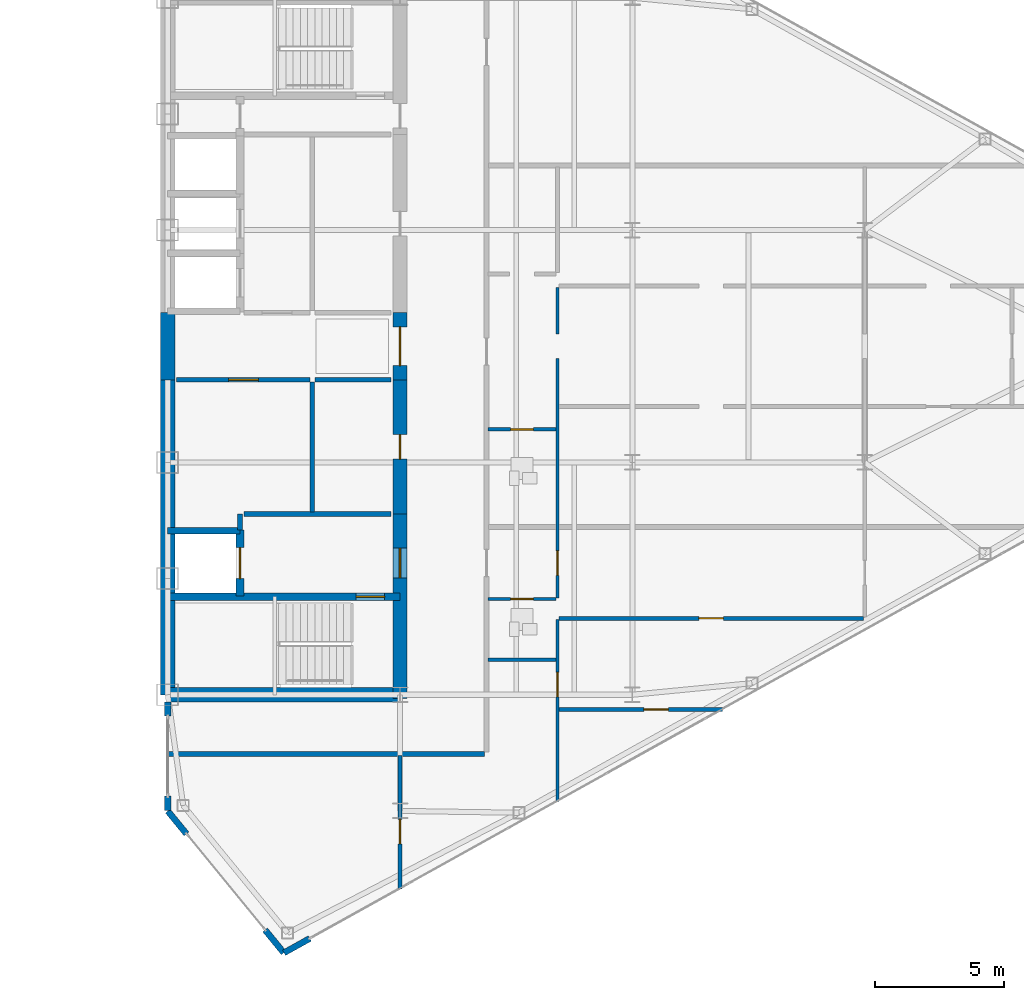
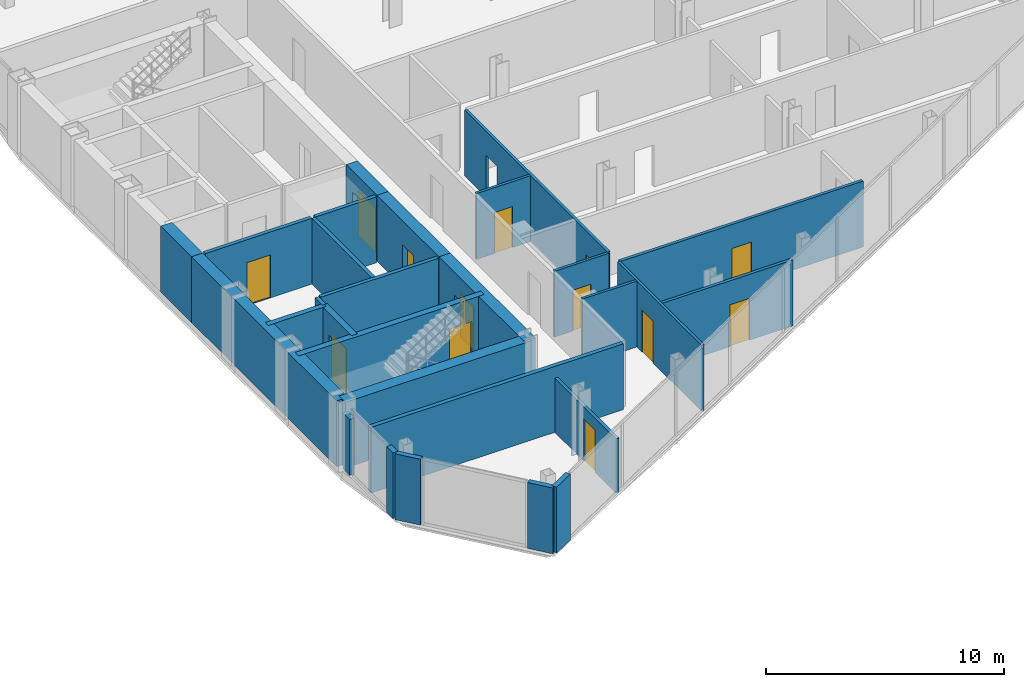
# One storey, part 21 of 26: 28 walls, 13 doors, 14 openings.
"""IFC4 building model written with IfcOpenShell, lengths in metres."""

from ifc_helpers import new_model, si_unit, direction, frame, frame_2d, origin, place, context, subcontext, project, spatial, rectangle, extrude, source, transform, mapped, material, layer, layer_set, type_object, type_shapes, element, fill, save


model = new_model("IFC4")

# Units and contexts
model_context = context("Model", 3, precision=1e-05, world=origin(), true_north=direction((0.0, 1.0)))
body_context = subcontext(model_context, "Body", "Model", "MODEL_VIEW")
ifc_project = project(units=[si_unit("LENGTHUNIT", "METRE"), si_unit("AREAUNIT", "SQUARE_METRE"), si_unit("VOLUMEUNIT", "CUBIC_METRE"), si_unit("PLANEANGLEUNIT", "RADIAN"), si_unit("MASSUNIT", "GRAM", prefix="KILO")], contexts=[model_context])

# Site, building, storey
site_placement = place(None, origin())
site = spatial("IfcSite", under=ifc_project, at=site_placement, CompositionType="ELEMENT")
building_placement = place(site_placement, origin())
building = spatial("IfcBuilding", under=site, at=building_placement, Name="Seokmaru Belvedere", CompositionType="ELEMENT")
storey_placement = place(building_placement, frame((0.0, 0.0, 174.300048828125)))
storey = spatial("IfcBuildingStorey", under=building, at=storey_placement, Name="L46", CompositionType="ELEMENT", Elevation=174.300048828125)

# Wall, opening, door
ifc_material_1 = material(Name="Fire-Rated Gypsum Shaftwall")
ifc_layer_1 = layer(ifc_material_1, 0.14990234375)
ifc_layer_set_1 = layer_set([ifc_layer_1], Name="Fire-Rated Gypsum Shaftwall")
wall_type_1 = type_object("IfcWallType", Name="Apartment Fire-Acoustic Room Partition 150", PredefinedType="PARTITIONING", material=ifc_layer_set_1)
wall_1_placement = place(storey_placement, frame((42.64990234375, -14.070068359375, 0.0), z_axis=(0.0, 0.0, 1.0), x_axis=(1.0, 0.0, 0.0)))
wall_1 = element("IfcWall", 1, at=wall_1_placement, inside=storey, type_object=wall_type_1, Name="L46 Interior Partition 003", PredefinedType="PARTITIONING", context=body_context, shape_type="SweptSolid", body=[
    extrude(rectangle(XDim=6.341064453125, YDim=0.14990234375, at=frame_2d((3.17041015625, 0.0))), origin(), (0.0, 0.0, 1.0), 3.3798828125),
])
opening_1_placement = place(wall_1_placement, frame((3.2919921875, 0.0, 0.0)))
opening_1 = element("IfcOpeningElement", 2, at=opening_1_placement, cuts=wall_1, Name="Opening D05", PredefinedType="OPENING", context=body_context, shape_type="SweptSolid", body=[
    extrude(rectangle(XDim=0.949951171875, YDim=2.14990234375, at=frame_2d((0.47509765625, 1.074951171875))), frame((0.0, 0.0849609375, 0.0), z_axis=(0.0, -1.0, 0.0), x_axis=(1.0, 0.0, 0.0)), (0.0, 0.0, 1.0), 0.169921875),
])
ifc_material_2 = material(Name="Engineered White Oak Timber", Category="wood")
door_type_1 = type_object("IfcDoorType", Name="Apartment Interior Fire-Rated Oak Door 950x2150", OperationType="NOTDEFINED", PredefinedType="DOOR", material=ifc_material_2)
shared_shape_1 = source(origin(), body_context, "Body", "SweptSolid", [
    extrude(rectangle(XDim=0.949951171875, YDim=2.14990234375, at=frame_2d((0.47509765625, 1.074951171875))), frame((0.0, 0.02490234375, 0.0), z_axis=(0.0, -1.0, 0.0), x_axis=(1.0, 0.0, 0.0)), (0.0, 0.0, 1.0), 0.050048828125),
])
type_shapes(door_type_1, [shared_shape_1])
door_1_placement = place(opening_1_placement, origin())
door_1 = element("IfcDoor", 3, at=door_1_placement, inside=storey, type_object=door_type_1, Name="L46 Interior Door 020", OperationType="SINGLE_SWING_LEFT", OverallHeight=2.14990234375, OverallWidth=0.949951171875, PredefinedType="DOOR", context=body_context, shape_type="MappedRepresentation", body=[
    mapped(shared_shape_1, transform((0.0, 0.0, 0.0), scale=1.0)),
])
fill(opening_1, door_1)

wall_2_placement = place(storey_placement, frame((42.64990234375, -10.5400390625, 0.0), z_axis=(0.0, 0.0, 1.0), x_axis=(1.0, 0.0, 0.0)))
wall_2 = element("IfcWall", 4, at=wall_2_placement, inside=storey, type_object=wall_type_1, Name="L46 Interior Partition 005", PredefinedType="PARTITIONING", context=body_context, shape_type="SweptSolid", body=[
    extrude(rectangle(XDim=11.800048828125, YDim=0.14990234375, at=frame_2d((5.89990234375, 0.0))), origin(), (0.0, 0.0, 1.0), 3.3798828125),
])
opening_2_placement = place(wall_2_placement, frame((5.425048828125, 0.0, 0.0)))
opening_2 = element("IfcOpeningElement", 5, at=opening_2_placement, cuts=wall_2, Name="Opening D05", PredefinedType="OPENING", context=body_context, shape_type="SweptSolid", body=[
    extrude(rectangle(XDim=0.949951171875, YDim=2.14990234375, at=frame_2d((0.47509765625, 1.074951171875))), frame((0.0, 0.0849609375, 0.0), z_axis=(0.0, -1.0, 0.0), x_axis=(1.0, 0.0, 0.0)), (0.0, 0.0, 1.0), 0.169921875),
])
door_2_placement = place(opening_2_placement, origin())
door_2 = element("IfcDoor", 6, at=door_2_placement, inside=storey, type_object=door_type_1, Name="L46 Interior Door 018", OperationType="SINGLE_SWING_LEFT", OverallHeight=2.14990234375, OverallWidth=0.949951171875, PredefinedType="DOOR", context=body_context, shape_type="MappedRepresentation", body=[
    mapped(shared_shape_1, transform((0.0, 0.0, 0.0), scale=1.0)),
])
fill(opening_2, door_2)

wall_3_placement = place(storey_placement, frame((36.5, -21.031982421875, 0.0), z_axis=(0.0, 0.0, 1.0), x_axis=(0.0, 1.0, 0.0)))
wall_3 = element("IfcWall", 7, at=wall_3_placement, inside=storey, type_object=wall_type_1, Name="L46 Interior Partition 026", PredefinedType="PARTITIONING", context=body_context, shape_type="SweptSolid", body=[
    extrude(rectangle(XDim=5.181884765625, YDim=0.14990234375, at=frame_2d((2.5908203125, 0.0))), origin(), (0.0, 0.0, 1.0), 2.780029296875),
])
opening_3_placement = place(wall_3_placement, frame((1.75390625, 0.0, 0.0)))
opening_3 = element("IfcOpeningElement", 8, at=opening_3_placement, cuts=wall_3, Name="Opening D05", PredefinedType="OPENING", context=body_context, shape_type="SweptSolid", body=[
    extrude(rectangle(XDim=0.949951171875, YDim=2.14990234375, at=frame_2d((0.47509765625, 1.074951171875))), frame((0.0, 0.0849609375, 0.0), z_axis=(0.0, -1.0, 0.0), x_axis=(1.0, 0.0, 0.0)), (0.0, 0.0, 1.0), 0.169921875),
])
door_3_placement = place(opening_3_placement, origin())
door_3 = element("IfcDoor", 9, at=door_3_placement, inside=storey, type_object=door_type_1, Name="L46 Interior Door 021", OperationType="SINGLE_SWING_LEFT", OverallHeight=2.14990234375, OverallWidth=0.949951171875, PredefinedType="DOOR", context=body_context, shape_type="MappedRepresentation", body=[
    mapped(shared_shape_1, transform((0.0, 0.0, 0.0), scale=1.0)),
])
fill(opening_3, door_3)

# Walls
ifc_layer_2 = layer(ifc_material_1, 0.179931640625)
ifc_layer_set_2 = layer_set([ifc_layer_2], Name="Fire-Rated Gypsum Shaftwall")
wall_type_2 = type_object("IfcWallType", Name="Core Service Fire Partition 180", PredefinedType="PARTITIONING", material=ifc_layer_set_2)
wall_4_placement = place(storey_placement, frame((30.449951171875, -6.5, 0.0), z_axis=(0.0, 0.0, 1.0), x_axis=(1.0, 0.0, 0.0)))
element("IfcWall", 10, at=wall_4_placement, inside=storey, type_object=wall_type_2, Name="L46 East Firefighting Lobby Partition", PredefinedType="PARTITIONING", context=body_context, shape_type="SweptSolid", body=[
    extrude(rectangle(XDim=5.699951171875, YDim=0.179931640625, at=frame_2d((2.85009765625, 0.0))), origin(), (0.0, 0.0, 1.0), 3.3798828125),
])
wall_5_placement = place(storey_placement, frame((30.300048828125, -7.1201171875, 0.0), z_axis=(0.0, 0.0, 1.0), x_axis=(0.0, 1.0, 0.0)))
element("IfcWall", 11, at=wall_5_placement, inside=storey, type_object=wall_type_2, Name="L46 East Firefighting Lobby East Closure Wall", PredefinedType="PARTITIONING", context=body_context, shape_type="SweptSolid", body=[
    extrude(rectangle(XDim=0.6201171875, YDim=0.179931640625, at=frame_2d((0.31005859375, 0.0))), origin(), (0.0, 0.0, 1.0), 3.3798828125),
])
wall_6_placement = place(storey_placement, frame((33.10009765625, -6.419921875, 0.0), z_axis=(0.0, 0.0, 1.0), x_axis=(0.0, 1.0, 0.0)))
element("IfcWall", 12, at=wall_6_placement, inside=storey, type_object=wall_type_2, Name="L46 East South Core Service Back Wall", PredefinedType="PARTITIONING", context=body_context, shape_type="SweptSolid", body=[
    extrude(rectangle(XDim=5.0400390625, YDim=0.179931640625, at=frame_2d((2.52001953125, 0.0))), origin(), (0.0, 0.0, 1.0), 3.3798828125),
])

# Wall, opening, door
wall_7_placement = place(storey_placement, frame((27.85009765625, -1.300048828125, 0.0), z_axis=(0.0, 0.0, 1.0), x_axis=(1.0, 0.0, 0.0)))
wall_7 = element("IfcWall", 13, at=wall_7_placement, inside=storey, type_object=wall_type_2, Name="L46 East South Lift Lobby Foyer Wall", PredefinedType="PARTITIONING", context=body_context, shape_type="SweptSolid", body=[
    extrude(rectangle(XDim=5.169921875, YDim=0.179931640625, at=frame_2d((2.5849609375, 0.0))), origin(), (0.0, 0.0, 1.0), 3.3798828125),
])
opening_4_placement = place(wall_7_placement, frame((2.010009765625, 0.0, 0.0)))
opening_4 = element("IfcOpeningElement", 14, at=opening_4_placement, cuts=wall_7, Name="Opening D02", PredefinedType="OPENING", context=body_context, shape_type="SweptSolid", body=[
    extrude(rectangle(XDim=1.14990234375, YDim=2.199951171875, at=frame_2d((0.574951171875, 1.10009765625))), frame((0.0, 0.10009765625, 0.0), z_axis=(0.0, -1.0, 0.0), x_axis=(1.0, 0.0, 0.0)), (0.0, 0.0, 1.0), 0.199951171875),
])
ifc_material_3 = material(Name="Fire-Rated Steel Leaf", Category="steel")
door_type_2 = type_object("IfcDoorType", Name="Lobby and Vestibule Fire Door 1150x2200", OperationType="NOTDEFINED", PredefinedType="DOOR", material=ifc_material_3)
shared_shape_2 = source(origin(), body_context, "Body", "SweptSolid", [
    extrude(rectangle(XDim=1.14990234375, YDim=2.199951171875, at=frame_2d((0.574951171875, 1.10009765625))), frame((0.0, 0.02490234375, 0.0), z_axis=(0.0, -1.0, 0.0), x_axis=(1.0, 0.0, 0.0)), (0.0, 0.0, 1.0), 0.050048828125),
])
type_shapes(door_type_2, [shared_shape_2])
door_4_placement = place(opening_4_placement, origin())
door_4 = element("IfcDoor", 15, at=door_4_placement, inside=storey, type_object=door_type_2, Name="L46 East South Core Foyer Door", OperationType="SINGLE_SWING_RIGHT", OverallHeight=2.199951171875, OverallWidth=1.14990234375, PredefinedType="DOOR", context=body_context, shape_type="MappedRepresentation", body=[
    mapped(shared_shape_2, transform((0.0, 0.0, 0.0), scale=1.0)),
])
fill(opening_4, door_4)

# Walls
wall_8_placement = place(storey_placement, frame((33.199951171875, -1.300048828125, 0.0), z_axis=(0.0, 0.0, 1.0), x_axis=(1.0, 0.0, 0.0)))
element("IfcWall", 16, at=wall_8_placement, inside=storey, type_object=wall_type_2, Name="L46 East Foyer Side Wall S", PredefinedType="PARTITIONING", context=body_context, shape_type="SweptSolid", body=[
    extrude(rectangle(XDim=2.949951171875, YDim=0.179931640625, at=frame_2d((1.47509765625, 0.0))), origin(), (0.0, 0.0, 1.0), 3.3798828125),
])
ifc_material_4 = material(Name="Concrete C50 (50 MPa)", Category="concrete")
ifc_layer_3 = layer(ifc_material_4, 0.25)
ifc_layer_set_3 = layer_set([ifc_layer_3], Name="Concrete C50 (50 MPa)")
wall_type_3 = type_object("IfcWallType", Name="Hoistway Transverse Concrete Divider Wall 250", PredefinedType="SHEAR", material=ifc_layer_set_3)
wall_9_placement = place(storey_placement, frame((27.5, -7.14990234375, 0.0), z_axis=(0.0, 0.0, 1.0), x_axis=(1.0, 0.0, 0.0)))
element("IfcWall", 17, at=wall_9_placement, inside=storey, type_object=wall_type_3, Name="L46 East Hoistway Divider Core Wall 1", PredefinedType="SHEAR", context=body_context, shape_type="SweptSolid", body=[
    extrude(rectangle(XDim=2.800048828125, YDim=0.25, at=frame_2d((1.39990234375, 0.0))), origin(), (0.0, 0.0, 1.0), 3.3798828125),
])
ifc_layer_4 = layer(ifc_material_1, 0.199951171875)
ifc_layer_set_4 = layer_set([ifc_layer_4], Name="Fire-Rated Gypsum Shaftwall")
wall_type_4 = type_object("IfcWallType", Name="Inter-Tenancy Fire Compartment Partition 200", PredefinedType="PARTITIONING", material=ifc_layer_set_4)
wall_10_placement = place(storey_placement, frame((27.5, -15.800048828125, 0.0), z_axis=(0.0, 0.0, 1.0), x_axis=(1.0, 0.0, 0.0)))
element("IfcWall", 18, at=wall_10_placement, inside=storey, type_object=wall_type_4, Name="L46 Interior Partition 002", PredefinedType="PARTITIONING", context=body_context, shape_type="SweptSolid", body=[
    extrude(rectangle(XDim=12.264892578125, YDim=0.199951171875, at=frame_2d((6.13232421875, 0.0))), origin(), (0.0, 0.0, 1.0), 3.3798828125),
])

# Wall, opening, door
ifc_layer_5 = layer(ifc_material_4, 0.300048828125)
ifc_layer_set_5 = layer_set([ifc_layer_5], Name="Concrete C50 (50 MPa)")
wall_type_5 = type_object("IfcWallType", Name="Internal Core Stair and Hoistway Wall 300", PredefinedType="SHEAR", material=ifc_layer_set_5)
wall_11_placement = place(storey_placement, frame((27.5, -9.699951171875, 0.0), z_axis=(0.0, 0.0, 1.0), x_axis=(1.0, 0.0, 0.0)))
wall_11 = element("IfcWall", 19, at=wall_11_placement, inside=storey, type_object=wall_type_5, Name="L46 East Stair ST-1 Enclosure Wall", PredefinedType="SHEAR", context=body_context, shape_type="SweptSolid", body=[
    extrude(rectangle(XDim=9.0, YDim=0.300048828125, at=frame_2d((4.5, 0.0))), origin(), (0.0, 0.0, 1.0), 3.3798828125),
])
opening_5_placement = place(wall_11_placement, frame((7.300048828125, 0.0, 0.0)))
opening_5 = element("IfcOpeningElement", 20, at=opening_5_placement, cuts=wall_11, Name="Opening D01", PredefinedType="OPENING", context=body_context, shape_type="SweptSolid", body=[
    extrude(rectangle(XDim=1.10009765625, YDim=2.199951171875, at=frame_2d((0.550048828125, 1.10009765625))), frame((0.0, 0.16015625, 0.0), z_axis=(0.0, -1.0, 0.0), x_axis=(1.0, 0.0, 0.0)), (0.0, 0.0, 1.0), 0.320068359375),
])
door_type_3 = type_object("IfcDoorType", Name="Special Escape Stair Smokeproof Fire Door 1100x2200", OperationType="NOTDEFINED", PredefinedType="DOOR", material=ifc_material_3)
shared_shape_3 = source(origin(), body_context, "Body", "SweptSolid", [
    extrude(rectangle(XDim=1.10009765625, YDim=2.199951171875, at=frame_2d((0.550048828125, 1.10009765625))), frame((0.0, 0.02490234375, 0.0), z_axis=(0.0, -1.0, 0.0), x_axis=(1.0, 0.0, 0.0)), (0.0, 0.0, 1.0), 0.050048828125),
])
type_shapes(door_type_3, [shared_shape_3])
door_5_placement = place(opening_5_placement, frame((1.10009765625, 0.0, 0.0), z_axis=(0.0, 0.0, 1.0), x_axis=(-1.0, 0.0, 0.0)))
door_5 = element("IfcDoor", 21, at=door_5_placement, inside=storey, type_object=door_type_3, Name="L46 East Special Escape Stair ST-1 Door", OperationType="SINGLE_SWING_RIGHT", OverallHeight=2.199951171875, OverallWidth=1.10009765625, PredefinedType="DOOR", context=body_context, shape_type="MappedRepresentation", body=[
    mapped(shared_shape_3, transform((0.0, 0.0, 0.0), scale=1.0)),
])
fill(opening_5, door_5)

wall_12_placement = place(storey_placement, frame((30.300048828125, -9.679931640625, 0.0), z_axis=(0.0, 0.0, 1.0), x_axis=(0.0, 1.0, 0.0)))
wall_12 = element("IfcWall", 22, at=wall_12_placement, inside=storey, type_object=wall_type_5, Name="L46 East Firefighting Lift Shaft Front Wall", PredefinedType="SHEAR", context=body_context, shape_type="SweptSolid", body=[
    extrude(rectangle(XDim=2.559814453125, YDim=0.300048828125, at=frame_2d((1.27978515625, 0.0))), origin(), (0.0, 0.0, 1.0), 3.3798828125),
])
opening_6_placement = place(wall_12_placement, frame((0.679931640625, 0.0, 0.0)))
opening_6 = element("IfcOpeningElement", 23, at=opening_6_placement, cuts=wall_12, Name="Opening LD2", PredefinedType="OPENING", context=body_context, shape_type="SweptSolid", body=[
    extrude(rectangle(XDim=1.199951171875, YDim=2.25, at=frame_2d((0.60009765625, 1.125))), frame((0.0, 0.16015625, 0.0), z_axis=(0.0, -1.0, 0.0), x_axis=(1.0, 0.0, 0.0)), (0.0, 0.0, 1.0), 0.320068359375),
])
ifc_material_5 = material(Name="Stainless Steel 316", Category="steel")
door_type_4 = type_object("IfcDoorType", Name="Firefighting Lift Sliding Landing Door 1200x2250", OperationType="DOUBLE_DOOR_SLIDING", PredefinedType="DOOR", material=ifc_material_5)
shared_shape_4 = source(origin(), body_context, "Body", "SweptSolid", [
    extrude(rectangle(XDim=1.199951171875, YDim=2.25, at=frame_2d((0.60009765625, 1.125))), frame((0.0, 0.02490234375, 0.0), z_axis=(0.0, -1.0, 0.0), x_axis=(1.0, 0.0, 0.0)), (0.0, 0.0, 1.0), 0.050048828125),
])
type_shapes(door_type_4, [shared_shape_4])
door_6_placement = place(opening_6_placement, origin())
door_6 = element("IfcDoor", 24, at=door_6_placement, inside=storey, type_object=door_type_4, Name="L46 East Firefighting Lift Landing Door", OperationType="DOUBLE_DOOR_SLIDING", OverallHeight=2.25, OverallWidth=1.199951171875, PredefinedType="DOOR", context=body_context, shape_type="MappedRepresentation", body=[
    mapped(shared_shape_4, transform((0.0, 0.0, 0.0), scale=1.0)),
])
fill(opening_6, door_6)

# Walls
ifc_layer_6 = layer(ifc_material_4, 0.550048828125)
ifc_layer_set_6 = layer_set([ifc_layer_6], Name="Concrete C50 (50 MPa)")
wall_type_6 = type_object("IfcWallType", Name="Mid-High Reinforced Concrete Core Wall 550", PredefinedType="SHEAR", material=ifc_layer_set_6)
wall_13_placement = place(storey_placement, frame((27.5, -13.5, 0.0), z_axis=(0.0, 0.0, 1.0), x_axis=(0.0, 1.0, 0.0)))
element("IfcWall", 25, at=wall_13_placement, inside=storey, type_object=wall_type_6, Name="L46 East Portal Spine Core Wall South", PredefinedType="SHEAR", context=body_context, shape_type="SweptSolid", body=[
    extrude(rectangle(XDim=12.199951171875, YDim=0.550048828125, at=frame_2d((6.10009765625, 0.0))), origin(), (0.0, 0.0, 1.0), 3.3798828125),
])
wall_14_placement = place(storey_placement, frame((27.5, -1.300048828125, 0.0), z_axis=(0.0, 0.0, 1.0), x_axis=(0.0, 1.0, 0.0)))
element("IfcWall", 26, at=wall_14_placement, inside=storey, type_object=wall_type_6, Name="L46 East Portal Spine Core Wall Center", PredefinedType="SHEAR", context=body_context, shape_type="SweptSolid", body=[
    extrude(rectangle(XDim=2.60009765625, YDim=0.550048828125, at=frame_2d((1.300048828125, 0.0))), origin(), (0.0, 0.0, 1.0), 3.3798828125),
])
wall_15_placement = place(storey_placement, frame((27.5, -13.5, 0.0), z_axis=(0.0, 0.0, 1.0), x_axis=(1.0, 0.0, 0.0)))
element("IfcWall", 27, at=wall_15_placement, inside=storey, type_object=wall_type_6, Name="L46 East South Core Wall", PredefinedType="SHEAR", context=body_context, shape_type="SweptSolid", body=[
    extrude(rectangle(XDim=9.0, YDim=0.550048828125, at=frame_2d((4.5, 0.0))), origin(), (0.0, 0.0, 1.0), 3.3798828125),
])

# Wall, opening, door
wall_16_placement = place(storey_placement, frame((36.5, -13.64990234375, 0.0), z_axis=(0.0, 0.0, 1.0), x_axis=(0.0, 1.0, 0.0)))
wall_16 = element("IfcWall", 28, at=wall_16_placement, inside=storey, type_object=wall_type_6, Name="L46 East West Core Wall FF", PredefinedType="SHEAR", context=body_context, shape_type="SweptSolid", body=[
    extrude(rectangle(XDim=7.14990234375, YDim=0.550048828125, at=frame_2d((3.574951171875, 0.0))), origin(), (0.0, 0.0, 1.0), 3.3798828125),
])
opening_7_placement = place(wall_16_placement, frame((4.675048828125, 0.0, 0.0)))
opening_7 = element("IfcOpeningElement", 29, at=opening_7_placement, cuts=wall_16, Name="Opening D02", PredefinedType="OPENING", context=body_context, shape_type="SweptSolid", body=[
    extrude(rectangle(XDim=1.14990234375, YDim=2.199951171875, at=frame_2d((0.574951171875, 1.10009765625))), frame((0.0, 0.28515625, 0.0), z_axis=(0.0, -1.0, 0.0), x_axis=(1.0, 0.0, 0.0)), (0.0, 0.0, 1.0), 0.570068359375),
])
door_7_placement = place(opening_7_placement, origin())
door_7 = element("IfcDoor", 30, at=door_7_placement, inside=storey, type_object=door_type_2, Name="L46 East Firefighting Lobby Door", OperationType="SINGLE_SWING_RIGHT", OverallHeight=2.199951171875, OverallWidth=1.14990234375, PredefinedType="DOOR", context=body_context, shape_type="MappedRepresentation", body=[
    mapped(shared_shape_2, transform((0.0, 0.0, 0.0), scale=1.0)),
])
fill(opening_7, door_7)

wall_17_placement = place(storey_placement, frame((36.5, -1.300048828125, 0.0), z_axis=(0.0, 0.0, 1.0), x_axis=(0.0, 1.0, 0.0)))
wall_17 = element("IfcWall", 31, at=wall_17_placement, inside=storey, type_object=wall_type_6, Name="L46 East West Core Wall FOY", PredefinedType="SHEAR", context=body_context, shape_type="SweptSolid", body=[
    extrude(rectangle(XDim=2.60009765625, YDim=0.550048828125, at=frame_2d((1.300048828125, 0.0))), origin(), (0.0, 0.0, 1.0), 3.3798828125),
])
opening_8_placement = place(wall_17_placement, frame((0.550048828125, 0.0, 0.0)))
opening_8 = element("IfcOpeningElement", 32, at=opening_8_placement, cuts=wall_17, Name="Opening D08", PredefinedType="OPENING", context=body_context, shape_type="SweptSolid", body=[
    extrude(rectangle(XDim=1.5, YDim=2.300048828125, at=frame_2d((0.75, 1.14990234375))), frame((0.0, 0.28515625, 0.0), z_axis=(0.0, -1.0, 0.0), x_axis=(1.0, 0.0, 0.0)), (0.0, 0.0, 1.0), 0.570068359375),
])
door_type_5 = type_object("IfcDoorType", Name="Cross-Corridor Compartment Double Fire Door 1500x2300", OperationType="DOUBLE_SWING_LEFT", PredefinedType="DOOR", material=ifc_material_3)
shared_shape_5 = source(origin(), body_context, "Body", "SweptSolid", [
    extrude(rectangle(XDim=1.5, YDim=2.300048828125, at=frame_2d((0.75, 1.14990234375))), frame((0.0, 0.02490234375, 0.0), z_axis=(0.0, -1.0, 0.0), x_axis=(1.0, 0.0, 0.0)), (0.0, 0.0, 1.0), 0.050048828125),
])
type_shapes(door_type_5, [shared_shape_5])
door_8_placement = place(opening_8_placement, origin())
door_8 = element("IfcDoor", 33, at=door_8_placement, inside=storey, type_object=door_type_5, Name="L46 East Core Foyer Compartment Door", OperationType="DOUBLE_SWING_LEFT", OverallHeight=2.300048828125, OverallWidth=1.5, PredefinedType="DOOR", context=body_context, shape_type="MappedRepresentation", body=[
    mapped(shared_shape_5, transform((0.0, 0.0, 0.0), scale=1.0)),
])
fill(opening_8, door_8)

wall_18_placement = place(storey_placement, frame((36.5, -6.5, 0.0), z_axis=(0.0, 0.0, 1.0), x_axis=(0.0, 1.0, 0.0)))
wall_18 = element("IfcWall", 34, at=wall_18_placement, inside=storey, type_object=wall_type_6, Name="L46 East West Core Wall CS1", PredefinedType="SHEAR", context=body_context, shape_type="SweptSolid", body=[
    extrude(rectangle(XDim=5.199951171875, YDim=0.550048828125, at=frame_2d((2.60009765625, 0.0))), origin(), (0.0, 0.0, 1.0), 3.3798828125),
])
opening_9_placement = place(wall_18_placement, frame((2.125, 0.0, 0.0)))
opening_9 = element("IfcOpeningElement", 35, at=opening_9_placement, cuts=wall_18, Name="Opening D04", PredefinedType="OPENING", context=body_context, shape_type="SweptSolid", body=[
    extrude(rectangle(XDim=0.949951171875, YDim=2.14990234375, at=frame_2d((0.47509765625, 1.074951171875))), frame((0.0, 0.28515625, 0.0), z_axis=(0.0, -1.0, 0.0), x_axis=(1.0, 0.0, 0.0)), (0.0, 0.0, 1.0), 0.570068359375),
])
door_type_6 = type_object("IfcDoorType", Name="Core Service Room Fire Door 950x2150", OperationType="NOTDEFINED", PredefinedType="DOOR", material=ifc_material_3)
shared_shape_6 = source(origin(), body_context, "Body", "SweptSolid", [
    extrude(rectangle(XDim=0.949951171875, YDim=2.14990234375, at=frame_2d((0.47509765625, 1.074951171875))), frame((0.0, 0.02490234375, 0.0), z_axis=(0.0, -1.0, 0.0), x_axis=(1.0, 0.0, 0.0)), (0.0, 0.0, 1.0), 0.050048828125),
])
type_shapes(door_type_6, [shared_shape_6])
door_9_placement = place(opening_9_placement, origin())
door_9 = element("IfcDoor", 36, at=door_9_placement, inside=storey, type_object=door_type_6, Name="L46 East Core Service Room Door 1", OperationType="SINGLE_SWING_RIGHT", OverallHeight=2.14990234375, OverallWidth=0.949951171875, PredefinedType="DOOR", context=body_context, shape_type="MappedRepresentation", body=[
    mapped(shared_shape_6, transform((0.0, 0.0, 0.0), scale=1.0)),
])
fill(opening_9, door_9)

# Wall
ifc_layer_7 = layer(ifc_material_1, 0.1298828125)
ifc_layer_set_7 = layer_set([ifc_layer_7], Name="Fire-Rated Gypsum Shaftwall")
wall_type_7 = type_object("IfcWallType", Name="Moisture-Resistant Fire-Rated Bathroom Partition 130", PredefinedType="PARTITIONING", material=ifc_layer_set_7)
wall_19_placement = place(storey_placement, frame((39.89990234375, -12.139892578125, 0.0), z_axis=(0.0, 0.0, 1.0), x_axis=(1.0, 0.0, 0.0)))
element("IfcWall", 37, at=wall_19_placement, inside=storey, type_object=wall_type_7, Name="L46 Interior Partition 004", PredefinedType="PARTITIONING", context=body_context, shape_type="SweptSolid", body=[
    extrude(rectangle(XDim=2.650146484375, YDim=0.1298828125, at=frame_2d((1.3251953125, 0.0))), origin(), (0.0, 0.0, 1.0), 3.3798828125),
])

# Wall, opening, door
wall_20_placement = place(storey_placement, frame((39.89990234375, -9.7900390625, 0.0), z_axis=(0.0, 0.0, 1.0), x_axis=(1.0, 0.0, 0.0)))
wall_20 = element("IfcWall", 38, at=wall_20_placement, inside=storey, type_object=wall_type_7, Name="L46 Interior Partition 006", PredefinedType="PARTITIONING", context=body_context, shape_type="SweptSolid", body=[
    extrude(rectangle(XDim=2.650146484375, YDim=0.1298828125, at=frame_2d((1.3251953125, 0.0))), origin(), (0.0, 0.0, 1.0), 3.3798828125),
])
opening_10_placement = place(wall_20_placement, frame((0.885009765625, 0.0, 0.0)))
opening_10 = element("IfcOpeningElement", 39, at=opening_10_placement, cuts=wall_20, Name="Opening D06", PredefinedType="OPENING", context=body_context, shape_type="SweptSolid", body=[
    extrude(rectangle(XDim=0.8798828125, YDim=2.10009765625, at=frame_2d((0.43994140625, 1.050048828125))), frame((0.0, 0.074951171875, 0.0), z_axis=(0.0, -1.0, 0.0), x_axis=(1.0, 0.0, 0.0)), (0.0, 0.0, 1.0), 0.14990234375),
])
door_type_7 = type_object("IfcDoorType", Name="Bathroom and Restroom Fire-Rated Door 880x2100", OperationType="NOTDEFINED", PredefinedType="DOOR", material=ifc_material_2)
shared_shape_7 = source(origin(), body_context, "Body", "SweptSolid", [
    extrude(rectangle(XDim=0.8798828125, YDim=2.10009765625, at=frame_2d((0.43994140625, 1.050048828125))), frame((0.0, 0.02490234375, 0.0), z_axis=(0.0, -1.0, 0.0), x_axis=(1.0, 0.0, 0.0)), (0.0, 0.0, 1.0), 0.050048828125),
])
type_shapes(door_type_7, [shared_shape_7])
door_10_placement = place(opening_10_placement, origin())
door_10 = element("IfcDoor", 40, at=door_10_placement, inside=storey, type_object=door_type_7, Name="L46 Interior Door 015", OperationType="SINGLE_SWING_RIGHT", OverallHeight=2.10009765625, OverallWidth=0.8798828125, PredefinedType="DOOR", context=body_context, shape_type="MappedRepresentation", body=[
    mapped(shared_shape_7, transform((0.0, 0.0, 0.0), scale=1.0)),
])
fill(opening_10, door_10)

wall_21_placement = place(storey_placement, frame((39.89990234375, -3.219970703125, 0.0), z_axis=(0.0, 0.0, 1.0), x_axis=(1.0, 0.0, 0.0)))
wall_21 = element("IfcWall", 41, at=wall_21_placement, inside=storey, type_object=wall_type_7, Name="L46 Interior Partition 011", PredefinedType="PARTITIONING", context=body_context, shape_type="SweptSolid", body=[
    extrude(rectangle(XDim=2.650146484375, YDim=0.1298828125, at=frame_2d((1.3251953125, 0.0))), origin(), (0.0, 0.0, 1.0), 3.3798828125),
])
opening_11_placement = place(wall_21_placement, frame((0.885009765625, 0.0, 0.0)))
opening_11 = element("IfcOpeningElement", 42, at=opening_11_placement, cuts=wall_21, Name="Opening D06", PredefinedType="OPENING", context=body_context, shape_type="SweptSolid", body=[
    extrude(rectangle(XDim=0.8798828125, YDim=2.10009765625, at=frame_2d((0.43994140625, 1.050048828125))), frame((0.0, 0.074951171875, 0.0), z_axis=(0.0, -1.0, 0.0), x_axis=(1.0, 0.0, 0.0)), (0.0, 0.0, 1.0), 0.14990234375),
])
door_11_placement = place(opening_11_placement, origin())
door_11 = element("IfcDoor", 43, at=door_11_placement, inside=storey, type_object=door_type_7, Name="L46 Interior Door 023", OperationType="SINGLE_SWING_RIGHT", OverallHeight=2.10009765625, OverallWidth=0.8798828125, PredefinedType="DOOR", context=body_context, shape_type="MappedRepresentation", body=[
    mapped(shared_shape_7, transform((0.0, 0.0, 0.0), scale=1.0)),
])
fill(opening_11, door_11)

wall_22_placement = place(storey_placement, frame((42.60009765625, -17.639892578125, 0.0), z_axis=(0.0, 0.0, 1.0), x_axis=(0.0, 1.0, 0.0)))
wall_22 = element("IfcWall", 44, at=wall_22_placement, inside=storey, type_object=wall_type_7, Name="L46 Interior Partition 028", PredefinedType="PARTITIONING", context=body_context, shape_type="SweptSolid", body=[
    extrude(rectangle(XDim=7.054931640625, YDim=0.1298828125, at=frame_2d((3.52734375, 0.0))), origin(), (0.0, 0.0, 1.0), 3.3798828125),
])
opening_12_placement = place(wall_22_placement, frame((4.0576171875, 0.0, 0.0)))
opening_12 = element("IfcOpeningElement", 45, at=opening_12_placement, cuts=wall_22, Name="Opening D05", PredefinedType="OPENING", context=body_context, shape_type="SweptSolid", body=[
    extrude(rectangle(XDim=0.949951171875, YDim=2.14990234375, at=frame_2d((0.47509765625, 1.074951171875))), frame((0.0, 0.074951171875, 0.0), z_axis=(0.0, -1.0, 0.0), x_axis=(1.0, 0.0, 0.0)), (0.0, 0.0, 1.0), 0.14990234375),
])
door_12_placement = place(opening_12_placement, origin())
door_12 = element("IfcDoor", 46, at=door_12_placement, inside=storey, type_object=door_type_1, Name="L46 Interior Door 019", OperationType="SINGLE_SWING_RIGHT", OverallHeight=2.14990234375, OverallWidth=0.949951171875, PredefinedType="DOOR", context=body_context, shape_type="MappedRepresentation", body=[
    mapped(shared_shape_1, transform((0.0, 0.0, 0.0), scale=1.0)),
])
fill(opening_12, door_12)

# Wall, openings, door
wall_23_placement = place(storey_placement, frame((42.60009765625, -9.7451171875, 0.0), z_axis=(0.0, 0.0, 1.0), x_axis=(0.0, 1.0, 0.0)))
wall_23 = element("IfcWall", 47, at=wall_23_placement, inside=storey, type_object=wall_type_7, Name="L46 Interior Partition 029", PredefinedType="PARTITIONING", context=body_context, shape_type="SweptSolid", body=[
    extrude(rectangle(XDim=12.028076171875, YDim=0.1298828125, at=frame_2d((6.01416015625, 0.0))), origin(), (0.0, 0.0, 1.0), 3.3798828125),
])
opening_13_placement = place(wall_23_placement, frame((0.87255859375, 0.0, 0.0)))
opening_13 = element("IfcOpeningElement", 48, at=opening_13_placement, cuts=wall_23, Name="Opening D05", PredefinedType="OPENING", context=body_context, shape_type="SweptSolid", body=[
    extrude(rectangle(XDim=0.949951171875, YDim=2.14990234375, at=frame_2d((0.47509765625, 1.074951171875))), frame((0.0, 0.074951171875, 0.0), z_axis=(0.0, -1.0, 0.0), x_axis=(1.0, 0.0, 0.0)), (0.0, 0.0, 1.0), 0.14990234375),
])
opening_14_placement = place(wall_23_placement, frame((9.27001953125, 0.0, 0.0)))
element("IfcOpeningElement", 49, at=opening_14_placement, cuts=wall_23, Name="L46 Cased Opening 025", PredefinedType="OPENING", context=body_context, shape_type="SweptSolid", body=[
    extrude(rectangle(XDim=0.949951171875, YDim=2.14990234375, at=frame_2d((0.47509765625, 1.074951171875))), frame((0.0, 0.074951171875, 0.0), z_axis=(0.0, -1.0, 0.0), x_axis=(1.0, 0.0, 0.0)), (0.0, 0.0, 1.0), 0.14990234375),
])
door_13_placement = place(opening_13_placement, origin())
door_13 = element("IfcDoor", 50, at=door_13_placement, inside=storey, type_object=door_type_1, Name="L46 Interior Door 016", OperationType="SINGLE_SWING_LEFT", OverallHeight=2.14990234375, OverallWidth=0.949951171875, PredefinedType="DOOR", context=body_context, shape_type="MappedRepresentation", body=[
    mapped(shared_shape_1, transform((0.0, 0.0, 0.0), scale=1.0)),
])
fill(opening_13, door_13)

# Walls
ifc_material_6 = material(Name="Anodised Bronze Aluminium", Category="aluminium")
ifc_layer_8 = layer(ifc_material_6, 0.239990234375)
ifc_layer_set_8 = layer_set([ifc_layer_8], Name="Anodised Bronze Aluminium")
wall_type_8 = type_object("IfcWallType", Name="Tower Corner Spandrel Closure Wall 240", PredefinedType="SOLIDWALL", material=ifc_layer_set_8)
wall_24_placement = place(storey_placement, frame((32.0087890625, -23.4951171875, 0.0), z_axis=(0.0, 0.0, 1.0), x_axis=(0.87385402111, 0.486188389196, 0.0)))
element("IfcWall", 51, at=wall_24_placement, inside=storey, type_object=wall_type_8, Name="L46 E Corner Closure Pier 1A", PredefinedType="SOLIDWALL", context=body_context, shape_type="SweptSolid", body=[
    extrude(rectangle(XDim=1.139892578125, YDim=0.239990234375, at=frame_2d((0.56982421875, 0.0))), origin(), (0.0, 0.0, 1.0), 3.3798828125),
])
wall_25_placement = place(storey_placement, frame((27.5, -17.97998046875, 0.0), z_axis=(0.0, 0.0, 1.0), x_axis=(0.0, 1.0, 0.0)))
element("IfcWall", 52, at=wall_25_placement, inside=storey, type_object=wall_type_8, Name="L46 E Spine Closure Pier 1A", PredefinedType="SOLIDWALL", context=body_context, shape_type="SweptSolid", body=[
    extrude(rectangle(XDim=0.550048828125, YDim=0.239990234375, at=frame_2d((0.27490234375, 0.0))), origin(), (0.0, 0.0, 1.0), 3.3798828125),
])
wall_26_placement = place(storey_placement, frame((27.5, -14.330078125, 0.0), z_axis=(0.0, 0.0, 1.0), x_axis=(0.0, 1.0, 0.0)))
element("IfcWall", 53, at=wall_26_placement, inside=storey, type_object=wall_type_8, Name="L46 E Spine Closure Pier 1B", PredefinedType="SOLIDWALL", context=body_context, shape_type="SweptSolid", body=[
    extrude(rectangle(XDim=0.550048828125, YDim=0.239990234375, at=frame_2d((0.27490234375, 0.0))), origin(), (0.0, 0.0, 1.0), 2.8798828125),
])
for number, where, z_axis, x_axis, name in (
    (54, (27.50634765625, -18.0078125, 0.0), (0.0, 0.0, 1.0), (0.633249451965, -0.77394775766, 0.0), "L46 E Corner Closure Pier 6A"),
    (55, (31.271728515625, -22.60986328125, 0.0), (0.0, 0.0, 1.0), (0.633249451965, -0.77394775766, 0.0), "L46 E Corner Closure Pier 6B"),
):
    element("IfcWall", number, at=place(storey_placement, frame(where, z_axis=z_axis, x_axis=x_axis)), inside=storey, type_object=wall_type_8, Name=name, PredefinedType="SOLIDWALL", context=body_context, shape_type="SweptSolid", body=[
        extrude(rectangle(XDim=1.14013671875, YDim=0.239990234375, at=frame_2d((0.570068359375, 0.0))), origin(), (0.0, 0.0, 1.0), 3.3798828125),
    ])

save(model, "model.ifc")
